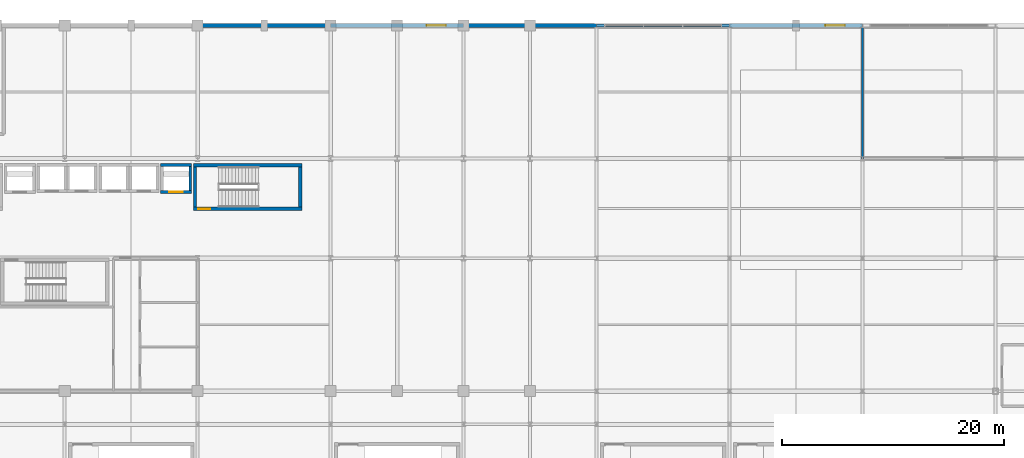
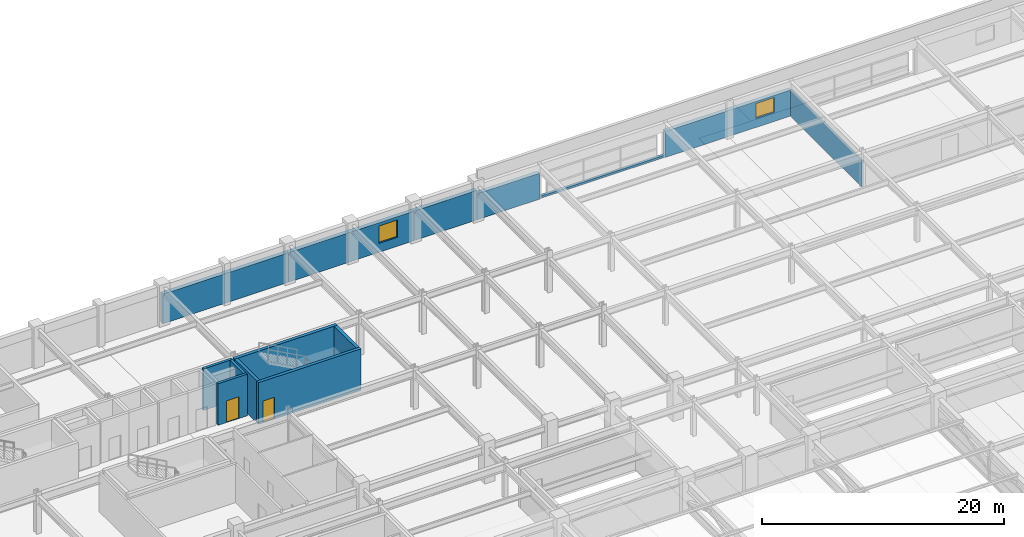
# One storey, part 96 of 108: 14 walls, 2 doors, 2 windows, 4 openings.
"""IFC4 building model written with IfcOpenShell, lengths in metres."""

from ifc_helpers import new_model, si_unit, direction, frame, frame_2d, origin, place, context, subcontext, project, spatial, rectangle, extrude, material, layer, layer_set, type_object, element, fill, save


model = new_model("IFC4")

# Units and contexts
model_context = context("Model", 3, precision=1e-05, world=origin(), true_north=direction((0.0, 1.0)))
body_context = subcontext(model_context, "Body", "Model", "MODEL_VIEW")
ifc_project = project(units=[si_unit("LENGTHUNIT", "METRE"), si_unit("AREAUNIT", "SQUARE_METRE"), si_unit("VOLUMEUNIT", "CUBIC_METRE"), si_unit("PLANEANGLEUNIT", "RADIAN"), si_unit("MASSUNIT", "GRAM", prefix="KILO")], contexts=[model_context])

# Site, building, storey
site_placement = place(None, origin())
site = spatial("IfcSite", under=ifc_project, at=site_placement, CompositionType="ELEMENT")
building_placement = place(site_placement, origin())
building = spatial("IfcBuilding", under=site, at=building_placement, Name="Kaldorvane Square Convention Centre", CompositionType="ELEMENT")
storey_placement = place(building_placement, frame((0.0, 0.0, 23.399993896484375)))
storey = spatial("IfcBuildingStorey", under=building, at=storey_placement, Name="L04", CompositionType="ELEMENT", Elevation=23.399993896484375)

# Wall
ifc_material_1 = material(Name="Concrete f'c = 42 MPa (Normalweight)", Category="concrete")
ifc_layer_1 = layer(ifc_material_1, 0.3800048828125)
ifc_layer_set_1 = layer_set([ifc_layer_1], Name="Concrete f'c = 42 MPa (Normalweight)")
wall_type_1 = type_object("IfcWallType", Name="WL-EXT-380", PredefinedType="STANDARD", material=ifc_layer_set_1)
wall_1_placement = place(storey_placement, frame((78.0, 117.0, 0.0), z_axis=(0.0, 0.0, 1.0), x_axis=(-1.0, 0.0, 0.0)))
element("IfcWall", 1, at=wall_1_placement, inside=storey, type_object=wall_type_1, Name="North Square Brutalist Facade Wall (L04)", PredefinedType="STANDARD", context=body_context, shape_type="SweptSolid", body=[
    extrude(rectangle(XDim=12.0, YDim=0.3800048828125, at=frame_2d((6.0, 0.0))), origin(), (0.0, 0.0, 1.0), 2.9860076904296875),
])

# Wall, opening, window
wall_2_placement = place(storey_placement, frame((90.0, 117.0, 0.0), z_axis=(0.0, 0.0, 1.0), x_axis=(-1.0, 0.0, 0.0)))
wall_2 = element("IfcWall", 2, at=wall_2_placement, inside=storey, type_object=wall_type_1, Name="North Square Brutalist Facade Wall (L04)", PredefinedType="STANDARD", context=body_context, shape_type="SweptSolid", body=[
    extrude(rectangle(XDim=12.0, YDim=0.3800048828125, at=frame_2d((6.0, 0.0))), origin(), (0.0, 0.0, 1.0), 2.9860076904296875),
])
opening_1_placement = place(wall_2_placement, frame((1.600006103515625, 0.0, 0.899993896484375)))
opening_1 = element("IfcOpeningElement", 3, at=opening_1_placement, cuts=wall_2, Name="Opening W-22", PredefinedType="OPENING", context=body_context, shape_type="SweptSolid", body=[
    extrude(rectangle(XDim=1.75, YDim=1.75, at=frame_2d((0.875, 0.875))), frame((0.0, 0.2050018310546875, 0.0), z_axis=(0.0, -1.0, 0.0), x_axis=(1.0, 0.0, 0.0)), (0.0, 0.0, 1.0), 0.410003662109375),
])
ifc_material_2 = material(Name="Anodized Aluminum and Low-E Insulated Glazing", Category="aluminium")
window_type = type_object("IfcWindowType", Name="WN-POD-1750X1750", PartitioningType="SINGLE_PANEL", PredefinedType="WINDOW", material=ifc_material_2)
window_1_placement = place(opening_1_placement, origin())
window_1 = element("IfcWindow", 4, at=window_1_placement, inside=storey, type_object=window_type, Name="North Facade Window (L04)", OverallHeight=1.75, OverallWidth=1.75, PartitioningType="SINGLE_PANEL", PredefinedType="WINDOW", context=body_context, shape_type="SweptSolid", body=[
    extrude(rectangle(XDim=1.75, YDim=1.75, at=frame_2d((0.875, 0.875))), frame((0.0, 0.029998779296875, 0.0), z_axis=(0.0, -1.0, 0.0), x_axis=(1.0, 0.0, 0.0)), (0.0, 0.0, 1.0), 0.05999755859375),
])
fill(opening_1, window_1)

# Walls
wall_3_placement = place(storey_placement, frame((96.0, 117.0, 0.0), z_axis=(0.0, 0.0, 1.0), x_axis=(-1.0, 0.0, 0.0)))
element("IfcWall", 5, at=wall_3_placement, inside=storey, type_object=wall_type_1, Name="North Square Brutalist Facade Wall (L04)", PredefinedType="STANDARD", context=body_context, shape_type="SweptSolid", body=[
    extrude(rectangle(XDim=6.0, YDim=0.3800048828125, at=frame_2d((3.0, 0.0))), origin(), (0.0, 0.0, 1.0), 2.9860076904296875),
])
wall_4_placement = place(storey_placement, frame((102.0, 117.0, 0.0), z_axis=(0.0, 0.0, 1.0), x_axis=(-1.0, 0.0, 0.0)))
element("IfcWall", 6, at=wall_4_placement, inside=storey, type_object=wall_type_1, Name="North Square Brutalist Facade Wall (L04)", PredefinedType="STANDARD", context=body_context, shape_type="SweptSolid", body=[
    extrude(rectangle(XDim=6.0, YDim=0.3800048828125, at=frame_2d((3.0, 0.0))), origin(), (0.0, 0.0, 1.0), 2.626007080078125),
])

# Wall, opening, window
wall_5_placement = place(storey_placement, frame((126.0, 117.0, 0.0), z_axis=(0.0, 0.0, 1.0), x_axis=(-1.0, 0.0, 0.0)))
wall_5 = element("IfcWall", 7, at=wall_5_placement, inside=storey, type_object=wall_type_1, Name="North Square Brutalist Facade Wall (L04)", PredefinedType="STANDARD", context=body_context, shape_type="SweptSolid", body=[
    extrude(rectangle(XDim=12.0, YDim=0.3800048828125, at=frame_2d((6.0, 0.0))), origin(), (0.0, 0.0, 1.0), 2.626007080078125),
])
opening_2_placement = place(wall_5_placement, frame((1.600006103515625, 0.0, 0.899993896484375)))
opening_2 = element("IfcOpeningElement", 8, at=opening_2_placement, cuts=wall_5, Name="Opening W-22", PredefinedType="OPENING", context=body_context, shape_type="SweptSolid", body=[
    extrude(rectangle(XDim=1.75, YDim=1.5099945068359375, at=frame_2d((0.875, 0.7550048828125))), frame((0.0, 0.2050018310546875, 0.0), z_axis=(0.0, -1.0, 0.0), x_axis=(1.0, 0.0, 0.0)), (0.0, 0.0, 1.0), 0.410003662109375),
])
window_2_placement = place(opening_2_placement, origin())
window_2 = element("IfcWindow", 9, at=window_2_placement, inside=storey, type_object=window_type, Name="North Facade Window (L04)", OverallHeight=1.5099945068359375, OverallWidth=1.75, PartitioningType="SINGLE_PANEL", PredefinedType="WINDOW", context=body_context, shape_type="SweptSolid", body=[
    extrude(rectangle(XDim=1.75, YDim=1.5099945068359375, at=frame_2d((0.875, 0.7550048828125))), frame((0.0, 0.029998779296875, 0.0), z_axis=(0.0, -1.0, 0.0), x_axis=(1.0, 0.0, 0.0)), (0.0, 0.0, 1.0), 0.05999755859375),
])
fill(opening_2, window_2)

# Walls
ifc_material_3 = material(Name="Concrete f'c = 35 MPa (Normalweight)", Category="concrete")
ifc_layer_2 = layer(ifc_material_3, 0.279998779296875)
ifc_layer_set_2 = layer_set([ifc_layer_2], Name="Concrete f'c = 35 MPa (Normalweight)")
wall_type_2 = type_object("IfcWallType", Name="WL-PAR-280", PredefinedType="PARAPET", material=ifc_layer_set_2)
wall_6_placement = place(storey_placement, frame((114.0, 117.0, 0.0), z_axis=(0.0, 0.0, 1.0), x_axis=(-1.0, 0.0, 0.0)))
element("IfcWall", 10, at=wall_6_placement, inside=storey, type_object=wall_type_2, Name="North Curtain-Wall Sill Kerb (L04)", PredefinedType="PARAPET", context=body_context, shape_type="SweptSolid", body=[
    extrude(rectangle(XDim=12.0, YDim=0.279998779296875, at=frame_2d((6.0, 0.0))), origin(), (0.0, 0.0, 1.0), 0.20001220703125),
])
ifc_material_4 = material(Name="Fire-Rated Gypsum Board on Acoustic Steel Studs", Category="steel")
ifc_layer_3 = layer(ifc_material_4, 0.1649932861328125)
ifc_layer_set_3 = layer_set([ifc_layer_3], Name="Fire-Rated Gypsum Board on Acoustic Steel Studs")
wall_type_3 = type_object("IfcWallType", Name="WL-PART-165", PredefinedType="PARTITIONING", material=ifc_layer_set_3)
wall_7_placement = place(storey_placement, frame((126.0, 116.80999755859375, 0.0), z_axis=(0.0, 0.0, 1.0), x_axis=(0.0, -1.0, 0.0)))
element("IfcWall", 11, at=wall_7_placement, inside=storey, type_object=wall_type_3, Name="Meeting Room 409 W Wall", PredefinedType="PARTITIONING", context=body_context, shape_type="SweptSolid", body=[
    extrude(rectangle(XDim=11.80999755859375, YDim=0.1649932861328125, at=frame_2d((5.904998779296875, 0.0))), origin(), (0.0, 0.0, 1.0), 2.6800079345703125),
])

# Wall, opening, door
ifc_material_5 = material(Name="Concrete f'c = 55 MPa (Normalweight)", Category="concrete")
ifc_layer_4 = layer(ifc_material_5, 0.3000030517578125)
ifc_layer_set_4 = layer_set([ifc_layer_4], Name="Concrete f'c = 55 MPa (Normalweight)")
wall_type_4 = type_object("IfcWallType", Name="WL-SHAFT-300", PredefinedType="SHEAR", material=ifc_layer_set_4)
wall_8_placement = place(storey_placement, frame((65.60000610351562, 100.46000671386719, 0.0), z_axis=(0.0, 0.0, 1.0), x_axis=(1.0, 0.0, 0.0)))
wall_8 = element("IfcWall", 12, at=wall_8_placement, inside=storey, type_object=wall_type_4, Name="Core Enclosure Wall stair:ST-T2-S (L04)", PredefinedType="SHEAR", context=body_context, shape_type="SweptSolid", body=[
    extrude(rectangle(XDim=9.79998779296875, YDim=0.3000030517578125, at=frame_2d((4.899993896484375, 0.0))), origin(), (0.0, 0.0, 1.0), 4.20001220703125),
])
opening_3_placement = place(wall_8_placement, frame((0.4499969482421875, 0.0, 0.0)))
opening_3 = element("IfcOpeningElement", 13, at=opening_3_placement, cuts=wall_8, Name="Opening FD90-S1", PredefinedType="OPENING", context=body_context, shape_type="SweptSolid", body=[
    extrude(rectangle(XDim=1.100006103515625, YDim=2.1999969482421875, at=frame_2d((0.5500030517578125, 1.100006103515625))), frame((0.0, 0.165008544921875, 0.0), z_axis=(0.0, -1.0, 0.0), x_axis=(1.0, 0.0, 0.0)), (0.0, 0.0, 1.0), 0.3300018310546875),
])
ifc_material_6 = material(Name="Fire-Rated Hollow Metal Steel", Category="steel")
door_type_1 = type_object("IfcDoorType", Name="DR-STAIR-1100", OperationType="SINGLE_SWING_RIGHT", PredefinedType="DOOR", material=ifc_material_6)
door_1_placement = place(opening_3_placement, origin())
door_1 = element("IfcDoor", 14, at=door_1_placement, inside=storey, type_object=door_type_1, Name="Tower Exit Stair T2 Fire Door (L04)", OperationType="SINGLE_SWING_RIGHT", OverallHeight=2.1999969482421875, OverallWidth=1.100006103515625, PredefinedType="DOOR", context=body_context, shape_type="SweptSolid", body=[
    extrude(rectangle(XDim=1.100006103515625, YDim=2.1999969482421875, at=frame_2d((0.5500030517578125, 1.100006103515625))), frame((0.0, 0.024993896484375, 0.0), z_axis=(0.0, -1.0, 0.0), x_axis=(1.0, 0.0, 0.0)), (0.0, 0.0, 1.0), 0.0500030517578125),
])
fill(opening_3, door_1)

# Walls
wall_9_placement = place(storey_placement, frame((75.39999389648438, 104.39999389648438, 0.0), z_axis=(0.0, 0.0, 1.0), x_axis=(-1.0, 0.0, 0.0)))
element("IfcWall", 15, at=wall_9_placement, inside=storey, type_object=wall_type_4, Name="Core Enclosure Wall stair:ST-T2-N (L04)", PredefinedType="SHEAR", context=body_context, shape_type="SweptSolid", body=[
    extrude(rectangle(XDim=9.79998779296875, YDim=0.3000030517578125, at=frame_2d((4.899993896484375, 0.0))), origin(), (0.0, 0.0, 1.0), 4.20001220703125),
])
for number, where, z_axis, x_axis, name in (
    (16, (65.75, 104.25, 0.0), (0.0, 0.0, 1.0), (0.0, -1.0, 0.0), "Core Enclosure Wall stair:ST-T2-W (L04)"),
    (17, (75.25, 100.61000061035156, 0.0), (0.0, 0.0, 1.0), (0.0, 1.0, 0.0), "Core Enclosure Wall stair:ST-T2-E (L04)"),
):
    element("IfcWall", number, at=place(storey_placement, frame(where, z_axis=z_axis, x_axis=x_axis)), inside=storey, type_object=wall_type_4, Name=name, PredefinedType="SHEAR", context=body_context, shape_type="SweptSolid", body=[
        extrude(rectangle(XDim=3.6399993896484375, YDim=0.3000030517578125, at=frame_2d((1.82000732421875, 0.0))), origin(), (0.0, 0.0, 1.0), 4.20001220703125),
    ])

# Wall, opening, door
wall_10_placement = place(storey_placement, frame((62.649993896484375, 101.97500610351562, 0.0), z_axis=(0.0, 0.0, 1.0), x_axis=(1.0, 0.0, 0.0)))
wall_10 = element("IfcWall", 18, at=wall_10_placement, inside=storey, type_object=wall_type_4, Name="Core Enclosure Wall lift:FSAE-02-S (L04)", PredefinedType="SHEAR", context=body_context, shape_type="SweptSolid", body=[
    extrude(rectangle(XDim=2.8000030517578125, YDim=0.25, at=frame_2d((1.399993896484375, 0.0))), origin(), (0.0, 0.0, 1.0), 4.20001220703125),
])
opening_4_placement = place(wall_10_placement, frame((0.8000030517578125, 0.0, 0.0)))
opening_4 = element("IfcOpeningElement", 19, at=opening_4_placement, cuts=wall_10, Name="Opening LD-02", PredefinedType="OPENING", context=body_context, shape_type="SweptSolid", body=[
    extrude(rectangle(XDim=1.1999969482421875, YDim=2.1999969482421875, at=frame_2d((0.600006103515625, 1.100006103515625))), frame((0.0, 0.1399993896484375, 0.0), z_axis=(0.0, -1.0, 0.0), x_axis=(1.0, 0.0, 0.0)), (0.0, 0.0, 1.0), 0.279998779296875),
])
ifc_material_7 = material(Name="Stainless Steel Elevator Door Assembly", Category="steel")
door_type_2 = type_object("IfcDoorType", Name="DR-LIFT-1200", OperationType="DOUBLE_DOOR_SLIDING", PredefinedType="DOOR", material=ifc_material_7)
door_2_placement = place(opening_4_placement, origin())
door_2 = element("IfcDoor", 20, at=door_2_placement, inside=storey, type_object=door_type_2, Name="Elevator Landing Door FSAE-02 (L04)", OperationType="DOUBLE_DOOR_SLIDING", OverallHeight=2.1999969482421875, OverallWidth=1.1999969482421875, PredefinedType="DOOR", context=body_context, shape_type="SweptSolid", body=[
    extrude(rectangle(XDim=1.1999969482421875, YDim=2.1999969482421875, at=frame_2d((0.600006103515625, 1.100006103515625))), frame((0.0, 0.024993896484375, 0.0), z_axis=(0.0, -1.0, 0.0), x_axis=(1.0, 0.0, 0.0)), (0.0, 0.0, 1.0), 0.0500030517578125),
])
fill(opening_4, door_2)

# Walls
wall_11_placement = place(storey_placement, frame((65.44999694824219, 104.42500305175781, 0.0), z_axis=(0.0, 0.0, 1.0), x_axis=(-1.0, 0.0, 0.0)))
element("IfcWall", 21, at=wall_11_placement, inside=storey, type_object=wall_type_4, Name="Core Enclosure Wall lift:FSAE-02-N (L04)", PredefinedType="SHEAR", context=body_context, shape_type="SweptSolid", body=[
    extrude(rectangle(XDim=2.8000030517578125, YDim=0.25, at=frame_2d((1.399993896484375, 0.0))), origin(), (0.0, 0.0, 1.0), 4.20001220703125),
])
wall_12_placement = place(storey_placement, frame((65.32499694824219, 102.10000610351562, 0.0), z_axis=(0.0, 0.0, 1.0), x_axis=(0.0, 1.0, 0.0)))
element("IfcWall", 22, at=wall_12_placement, inside=storey, type_object=wall_type_4, Name="Core Enclosure Wall lift:FSAE-02-E (L04)", PredefinedType="SHEAR", context=body_context, shape_type="SweptSolid", body=[
    extrude(rectangle(XDim=2.1999969482421875, YDim=0.25, at=frame_2d((1.100006103515625, 0.0))), origin(), (0.0, 0.0, 1.0), 4.20001220703125),
])

save(model, "model.ifc")
